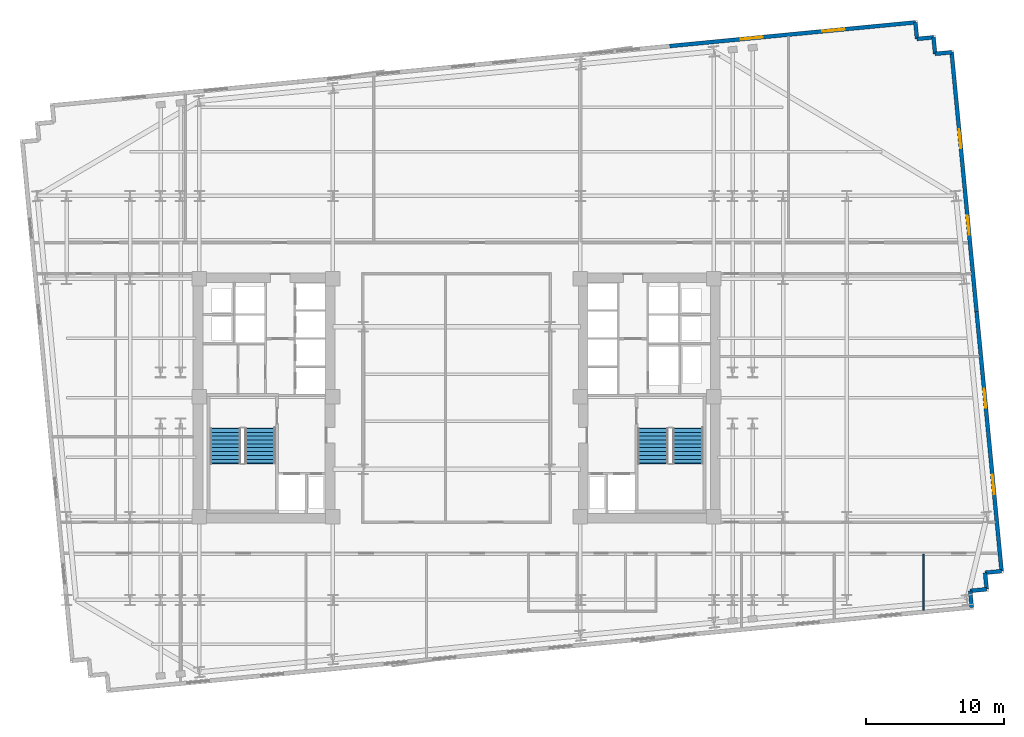
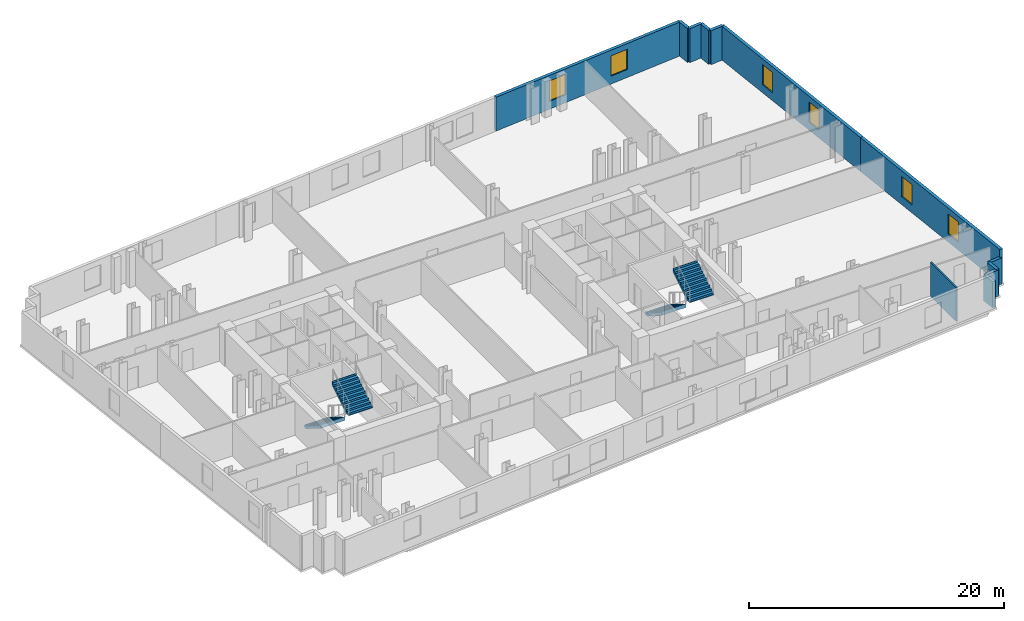
# One storey, part 8 of 10: 12 walls, 6 windows, 4 stair flights, 6 openings, 2 elements without a shape of their own.
"""IFC4 building model written with IfcOpenShell, lengths in metres."""

from ifc_helpers import new_model, si_unit, direction, frame, frame_2d, origin, place, context, subcontext, project, spatial, polyline, rectangle, outline, extrude, material, layer, layer_set, type_object, element, fill, aggregate, save


model = new_model("IFC4")

# Units and contexts
model_context = context("Model", 3, precision=1e-05, world=origin(), true_north=direction((0.0, 1.0)))
body_context = subcontext(model_context, "Body", "Model", "MODEL_VIEW")
ifc_project = project(units=[si_unit("LENGTHUNIT", "METRE"), si_unit("AREAUNIT", "SQUARE_METRE"), si_unit("VOLUMEUNIT", "CUBIC_METRE"), si_unit("PLANEANGLEUNIT", "RADIAN"), si_unit("MASSUNIT", "GRAM", prefix="KILO")], contexts=[model_context])

# Site, building, storey
site_placement = place(None, origin())
site = spatial("IfcSite", under=ifc_project, at=site_placement, CompositionType="ELEMENT")
building_placement = place(site_placement, origin())
building = spatial("IfcBuilding", under=site, at=building_placement, Name="Velakula Bourse", CompositionType="ELEMENT")
storey_placement = place(building_placement, frame((0.0, 0.0, 84.550048828125)))
storey = spatial("IfcBuildingStorey", under=building, at=storey_placement, Name="L22", CompositionType="ELEMENT", Elevation=84.550048828125)

# Wall, openings, windows
ifc_material_1 = material(Name="Red kilned clay facing brick masonry", Category="masonry")
ifc_layer_1 = layer(ifc_material_1, 0.280029296875, Name="Red kilned clay facing brick masonry", Category="masonry")
ifc_layer_set_1 = layer_set([ifc_layer_1], Name="Red kilned clay facing brick masonry")
wall_type_1 = type_object("IfcWallType", Name="WL-EXT-BRK-280", PredefinedType="STANDARD", material=ifc_layer_set_1)
wall_1_placement = place(storey_placement, frame((15.402099609375, 25.43603515625, 0.0), z_axis=(0.0, 0.0, 1.0), x_axis=(0.995395780835, 0.095850088663, 0.0)))
wall_1 = element("IfcWall", 1, at=wall_1_placement, inside=storey, type_object=wall_type_1, Name="L22 N Brick Spandrel Wall B5", PredefinedType="STANDARD", context=body_context, shape_type="SweptSolid", body=[
    extrude(rectangle(XDim=17.83984375, YDim=0.280029296875, at=frame_2d((8.919921875, 0.0))), origin(), (0.0, 0.0, 1.0), 3.25),
])
opening_1_placement = place(wall_1_placement, frame((5.146728515625, 0.0, 0.760009765625)))
opening_1 = element("IfcOpeningElement", 2, at=opening_1_placement, cuts=wall_1, Name="Opening W-02", PredefinedType="OPENING", context=body_context, shape_type="SweptSolid", body=[
    extrude(rectangle(XDim=1.60009765625, YDim=1.949951171875, at=frame_2d((0.800048828125, 0.97509765625))), frame((0.0, 0.14990234375, 0.0), z_axis=(0.0, -1.0, 0.0), x_axis=(1.0, 0.0, 0.0)), (0.0, 0.0, 1.0), 0.300048828125),
])
opening_2_placement = place(wall_1_placement, frame((11.09326171875, 0.0, 0.760009765625)))
opening_2 = element("IfcOpeningElement", 3, at=opening_2_placement, cuts=wall_1, Name="Opening W-02", PredefinedType="OPENING", context=body_context, shape_type="SweptSolid", body=[
    extrude(rectangle(XDim=1.60009765625, YDim=1.949951171875, at=frame_2d((0.800048828125, 0.97509765625))), frame((0.0, 0.14990234375, 0.0), z_axis=(0.0, -1.0, 0.0), x_axis=(1.0, 0.0, 0.0)), (0.0, 0.0, 1.0), 0.300048828125),
])
ifc_material_2 = material(Name="Double-glazed solar-control Low-E glass", Category="glass")
window_type_1 = type_object("IfcWindowType", Name="WIN-TWR-1600x2100", PartitioningType="SINGLE_PANEL", PredefinedType="WINDOW", material=ifc_material_2)
window_1_placement = place(opening_1_placement, origin())
window_1 = element("IfcWindow", 4, at=window_1_placement, inside=storey, type_object=window_type_1, Name="L22 Deep-Set Recessed Window 1", OverallHeight=1.949951171875, OverallWidth=1.60009765625, PartitioningType="SINGLE_PANEL", PredefinedType="WINDOW", context=body_context, shape_type="SweptSolid", body=[
    extrude(rectangle(XDim=1.60009765625, YDim=1.949951171875, at=frame_2d((0.800048828125, 0.97509765625))), frame((0.0, 0.030029296875, 0.0), z_axis=(0.0, -1.0, 0.0), x_axis=(1.0, 0.0, 0.0)), (0.0, 0.0, 1.0), 0.06005859375),
])
fill(opening_1, window_1)
window_2_placement = place(opening_2_placement, origin())
window_2 = element("IfcWindow", 5, at=window_2_placement, inside=storey, type_object=window_type_1, Name="L22 Deep-Set Recessed Window 2", OverallHeight=1.949951171875, OverallWidth=1.60009765625, PartitioningType="SINGLE_PANEL", PredefinedType="WINDOW", context=body_context, shape_type="SweptSolid", body=[
    extrude(rectangle(XDim=1.60009765625, YDim=1.949951171875, at=frame_2d((0.800048828125, 0.97509765625))), frame((0.0, 0.030029296875, 0.0), z_axis=(0.0, -1.0, 0.0), x_axis=(1.0, 0.0, 0.0)), (0.0, 0.0, 1.0), 0.06005859375),
])
fill(opening_2, window_2)

wall_2_placement = place(storey_placement, frame((37.584716796875, 6.23388671875, 0.0), z_axis=(0.0, 0.0, 1.0), x_axis=(0.095841297881, -0.99539662729, 0.0)))
wall_2 = element("IfcWall", 6, at=wall_2_placement, inside=storey, type_object=wall_type_1, Name="L22 E Brick End Wall W1", PredefinedType="STANDARD", context=body_context, shape_type="SweptSolid", body=[
    extrude(rectangle(XDim=18.840087890625, YDim=0.280029296875, at=frame_2d((9.419921875, 0.0))), origin(), (0.0, 0.0, 1.0), 3.25),
])
opening_3_placement = place(wall_2_placement, frame((5.580078125, 0.0, 0.760009765625)))
opening_3 = element("IfcOpeningElement", 7, at=opening_3_placement, cuts=wall_2, Name="Opening W-03", PredefinedType="OPENING", context=body_context, shape_type="SweptSolid", body=[
    extrude(rectangle(XDim=1.39990234375, YDim=1.949951171875, at=frame_2d((0.699951171875, 0.97509765625))), frame((0.0, 0.14990234375, 0.0), z_axis=(0.0, -1.0, 0.0), x_axis=(1.0, 0.0, 0.0)), (0.0, 0.0, 1.0), 0.300048828125),
])
opening_4_placement = place(wall_2_placement, frame((11.860107421875, 0.0, 0.760009765625)))
opening_4 = element("IfcOpeningElement", 8, at=opening_4_placement, cuts=wall_2, Name="Opening W-03", PredefinedType="OPENING", context=body_context, shape_type="SweptSolid", body=[
    extrude(rectangle(XDim=1.39990234375, YDim=1.949951171875, at=frame_2d((0.699951171875, 0.97509765625))), frame((0.0, 0.14990234375, 0.0), z_axis=(0.0, -1.0, 0.0), x_axis=(1.0, 0.0, 0.0)), (0.0, 0.0, 1.0), 0.300048828125),
])
window_type_2 = type_object("IfcWindowType", Name="WIN-TWR-1400x2100", PartitioningType="SINGLE_PANEL", PredefinedType="WINDOW", material=ifc_material_2)
window_3_placement = place(opening_3_placement, origin())
window_3 = element("IfcWindow", 9, at=window_3_placement, inside=storey, type_object=window_type_2, Name="L22 Deep-Set Recessed Window 1", OverallHeight=1.949951171875, OverallWidth=1.39990234375, PartitioningType="SINGLE_PANEL", PredefinedType="WINDOW", context=body_context, shape_type="SweptSolid", body=[
    extrude(rectangle(XDim=1.39990234375, YDim=1.949951171875, at=frame_2d((0.699951171875, 0.97509765625))), frame((0.0, 0.030029296875, 0.0), z_axis=(0.0, -1.0, 0.0), x_axis=(1.0, 0.0, 0.0)), (0.0, 0.0, 1.0), 0.06005859375),
])
fill(opening_3, window_3)
window_4_placement = place(opening_4_placement, origin())
window_4 = element("IfcWindow", 10, at=window_4_placement, inside=storey, type_object=window_type_2, Name="L22 Deep-Set Recessed Window 2", OverallHeight=1.949951171875, OverallWidth=1.39990234375, PartitioningType="SINGLE_PANEL", PredefinedType="WINDOW", context=body_context, shape_type="SweptSolid", body=[
    extrude(rectangle(XDim=1.39990234375, YDim=1.949951171875, at=frame_2d((0.699951171875, 0.97509765625))), frame((0.0, 0.030029296875, 0.0), z_axis=(0.0, -1.0, 0.0), x_axis=(1.0, 0.0, 0.0)), (0.0, 0.0, 1.0), 0.06005859375),
])
fill(opening_4, window_4)

wall_3_placement = place(storey_placement, frame((35.779052734375, 24.987060546875, 0.0), z_axis=(0.0, 0.0, 1.0), x_axis=(0.095842534142, -0.995396508256, 0.0)))
wall_3 = element("IfcWall", 11, at=wall_3_placement, inside=storey, type_object=wall_type_1, Name="L22 E Brick End Wall W2", PredefinedType="STANDARD", context=body_context, shape_type="SweptSolid", body=[
    extrude(rectangle(XDim=18.83984375, YDim=0.280029296875, at=frame_2d((9.419921875, 0.0))), origin(), (0.0, 0.0, 1.0), 3.25),
])
opening_5_placement = place(wall_3_placement, frame((5.580078125, 0.0, 0.760009765625)))
opening_5 = element("IfcOpeningElement", 12, at=opening_5_placement, cuts=wall_3, Name="Opening W-03", PredefinedType="OPENING", context=body_context, shape_type="SweptSolid", body=[
    extrude(rectangle(XDim=1.39990234375, YDim=1.949951171875, at=frame_2d((0.699951171875, 0.97509765625))), frame((0.0, 0.14990234375, 0.0), z_axis=(0.0, -1.0, 0.0), x_axis=(1.0, 0.0, 0.0)), (0.0, 0.0, 1.0), 0.300048828125),
])
opening_6_placement = place(wall_3_placement, frame((11.860107421875, 0.0, 0.760009765625)))
opening_6 = element("IfcOpeningElement", 13, at=opening_6_placement, cuts=wall_3, Name="Opening W-03", PredefinedType="OPENING", context=body_context, shape_type="SweptSolid", body=[
    extrude(rectangle(XDim=1.39990234375, YDim=1.949951171875, at=frame_2d((0.699951171875, 0.97509765625))), frame((0.0, 0.14990234375, 0.0), z_axis=(0.0, -1.0, 0.0), x_axis=(1.0, 0.0, 0.0)), (0.0, 0.0, 1.0), 0.300048828125),
])
window_5_placement = place(opening_5_placement, origin())
window_5 = element("IfcWindow", 14, at=window_5_placement, inside=storey, type_object=window_type_2, Name="L22 Deep-Set Recessed Window 1", OverallHeight=1.949951171875, OverallWidth=1.39990234375, PartitioningType="SINGLE_PANEL", PredefinedType="WINDOW", context=body_context, shape_type="SweptSolid", body=[
    extrude(rectangle(XDim=1.39990234375, YDim=1.949951171875, at=frame_2d((0.699951171875, 0.97509765625))), frame((0.0, 0.030029296875, 0.0), z_axis=(0.0, -1.0, 0.0), x_axis=(1.0, 0.0, 0.0)), (0.0, 0.0, 1.0), 0.06005859375),
])
fill(opening_5, window_5)
window_6_placement = place(opening_6_placement, origin())
window_6 = element("IfcWindow", 15, at=window_6_placement, inside=storey, type_object=window_type_2, Name="L22 Deep-Set Recessed Window 2", OverallHeight=1.949951171875, OverallWidth=1.39990234375, PartitioningType="SINGLE_PANEL", PredefinedType="WINDOW", context=body_context, shape_type="SweptSolid", body=[
    extrude(rectangle(XDim=1.39990234375, YDim=1.949951171875, at=frame_2d((0.699951171875, 0.97509765625))), frame((0.0, 0.030029296875, 0.0), z_axis=(0.0, -1.0, 0.0), x_axis=(1.0, 0.0, 0.0)), (0.0, 0.0, 1.0), 0.06005859375),
])
fill(opening_6, window_6)

# Walls
for number, where, z_axis, x_axis, name in (
    (16, (37.2314453125, -15.138427734375, 0.0), (0.0, 0.0, 1.0), (-0.095817067274, 0.995398960025, 0.0), "L22 Serrated Corner Brick Wall SE-1"),
    (17, (37.116455078125, -13.94384765625, 0.0), (0.0, 0.0, 1.0), (0.995398960025, 0.095817067274, 0.0), "L22 Serrated Corner Brick Wall SE-2"),
):
    element("IfcWall", number, at=place(storey_placement, frame(where, z_axis=z_axis, x_axis=x_axis)), inside=storey, type_object=wall_type_1, Name=name, PredefinedType="STANDARD", context=body_context, shape_type="SweptSolid", body=[
        extrude(rectangle(XDim=1.2001953125, YDim=0.280029296875, at=frame_2d((0.60009765625, 0.0))), origin(), (0.0, 0.0, 1.0), 2.494873046875),
    ])
for number, where, z_axis, x_axis, name in (
    (18, (38.31103515625, -13.828857421875, 0.0), (0.0, 0.0, 1.0), (-0.095836473879, 0.995397091755, 0.0), "L22 Serrated Corner Brick Wall SE-3"),
    (19, (38.196044921875, -12.634521484375, 0.0), (0.0, 0.0, 1.0), (0.995397091755, 0.095836473879, 0.0), "L22 Serrated Corner Brick Wall SE-4"),
):
    element("IfcWall", number, at=place(storey_placement, frame(where, z_axis=z_axis, x_axis=x_axis)), inside=storey, type_object=wall_type_1, Name=name, PredefinedType="STANDARD", context=body_context, shape_type="SweptSolid", body=[
        extrude(rectangle(XDim=1.199951171875, YDim=0.280029296875, at=frame_2d((0.60009765625, 0.0))), origin(), (0.0, 0.0, 1.0), 2.494873046875),
    ])
for number, where, z_axis, x_axis, name in (
    (20, (35.779052734375, 24.987060546875, 0.0), (0.0, 0.0, 1.0), (-0.995398960025, -0.095817067274, 0.0), "L22 Serrated Corner Brick Wall NE-1"),
    (21, (34.58447265625, 24.8720703125, 0.0), (0.0, 0.0, 1.0), (-0.095817067274, 0.995398960025, 0.0), "L22 Serrated Corner Brick Wall NE-2"),
    (22, (34.469482421875, 26.066650390625, 0.0), (0.0, 0.0, 1.0), (-0.995398960025, -0.095817067274, 0.0), "L22 Serrated Corner Brick Wall NE-3"),
):
    element("IfcWall", number, at=place(storey_placement, frame(where, z_axis=z_axis, x_axis=x_axis)), inside=storey, type_object=wall_type_1, Name=name, PredefinedType="STANDARD", context=body_context, shape_type="SweptSolid", body=[
        extrude(rectangle(XDim=1.2001953125, YDim=0.280029296875, at=frame_2d((0.60009765625, 0.0))), origin(), (0.0, 0.0, 1.0), 3.25),
    ])
wall_4_placement = place(storey_placement, frame((33.27490234375, 25.95166015625, 0.0), z_axis=(0.0, 0.0, 1.0), x_axis=(-0.095836473879, 0.995397091755, 0.0)))
element("IfcWall", 23, at=wall_4_placement, inside=storey, type_object=wall_type_1, Name="L22 Serrated Corner Brick Wall NE-4", PredefinedType="STANDARD", context=body_context, shape_type="SweptSolid", body=[
    extrude(rectangle(XDim=1.199951171875, YDim=0.280029296875, at=frame_2d((0.60009765625, 0.0))), origin(), (0.0, 0.0, 1.0), 3.25),
])
ifc_material_3 = material(Name="Fire-rated double-layer gypsum drywall partition", Category="gypsum")
ifc_layer_2 = layer(ifc_material_3, 0.1201171875, Name="Fire-rated double-layer gypsum drywall partition", Category="gypsum")
ifc_layer_set_2 = layer_set([ifc_layer_2], Name="Fire-rated double-layer gypsum drywall partition")
wall_type_2 = type_object("IfcWallType", Name="WL-PART-120", PredefinedType="STANDARD", material=ifc_layer_set_2)
wall_5_placement = place(storey_placement, frame((33.739013671875, -15.35400390625, 0.0), z_axis=(0.0, 0.0, 1.0), x_axis=(0.0, 1.0, 0.0)))
element("IfcWall", 24, at=wall_5_placement, inside=storey, type_object=wall_type_2, Name="L22 Interior Partition WL-INT-L22-SR-D10", PredefinedType="STANDARD", context=body_context, shape_type="SweptSolid", body=[
    extrude(rectangle(XDim=4.06396484375, YDim=0.1201171875, at=frame_2d((2.031982421875, 0.0))), origin(), (0.0, 0.0, 1.0), 3.25),
])

# Stair, stair flights
ifc_material_4 = material(Name="Concrete M45 (fck 45 MPa)", Category="concrete")
stair_type = type_object("IfcStairType", Name="STR-DOG-390", PredefinedType="HALF_TURN_STAIR", material=ifc_material_4)
stair_1_placement = place(storey_placement, origin())
stair_1 = element("IfcStair", 25, at=stair_1_placement, inside=storey, type_object=stair_type, Name="L22 West Core Exit Stair ST-W1", PredefinedType="HALF_TURN_STAIR")
ifc_layer_3 = layer(ifc_material_4, 0.195068359375, Name="Concrete M45 (fck 45 MPa)", Category="concrete")
ifc_layer_set_3 = layer_set([ifc_layer_3], Name="Concrete M45 (fck 45 MPa)")
stair_flight_type = type_object("IfcStairFlightType", Name="FLT-DOG-390", PredefinedType="STRAIGHT", material=ifc_layer_set_3)
stair_flight_1_placement = place(storey_placement, frame((-16.720947265625, -2.199951171875, 0.0), z_axis=(0.0, 0.0, 1.0), x_axis=(0.0, -1.0, 0.0)))
stair_flight_1 = element("IfcStairFlight", 26, at=stair_flight_1_placement, type_object=stair_flight_type, Name="ST-W1 flight 1", NumberOfRisers=10, NumberOfTreads=9, PredefinedType="STRAIGHT", RiserHeight=0.1725, TreadLength=0.28, context=body_context, shape_type="SweptSolid", body=[
    extrude(outline(polyline([(-0.044921875, -0.0400390625), (-0.044921875, -0.036865234375), (-0.044921875, -0.033935546875), (-0.044921875, -0.03076171875), (-0.044921875, -0.027587890625), (-0.044921875, -0.024658203125), (-0.044921875, -0.021484375), (-0.044921875, -0.0185546875), (-0.044921875, -0.015380859375), (-0.044921875, -0.01220703125), (-0.044921875, -0.00927734375), (-0.044921875, -0.006103515625), (-0.044921875, -0.003173828125), (-0.044921875, 0.0), (0.0, 0.0), (0.0, 0.172607421875), (0.280029296875, 0.172607421875), (0.280029296875, 0.344970703125), (0.56005859375, 0.344970703125), (0.56005859375, 0.517578125), (0.840087890625, 0.517578125), (0.840087890625, 0.68994140625), (1.1201171875, 0.68994140625), (1.1201171875, 0.862548828125), (1.39990234375, 0.862548828125), (1.39990234375, 1.034912109375), (1.679931640625, 1.034912109375), (1.679931640625, 1.20751953125), (1.9599609375, 1.20751953125), (1.9599609375, 1.3798828125), (2.239990234375, 1.3798828125), (2.239990234375, 1.552490234375), (2.52001953125, 1.552490234375), (2.52001953125, 1.72509765625), (2.56494140625, 1.72509765625), (2.56494140625, 1.7001953125), (2.56494140625, 1.67529296875), (2.56494140625, 1.650390625), (2.56494140625, 1.62548828125), (2.56494140625, 1.6005859375), (2.56494140625, 1.57568359375), (2.56494140625, 1.55078125), (2.56494140625, 1.52587890625), (2.56494140625, 1.5009765625), (2.56494140625, 1.47607421875), (2.56494140625, 1.451171875), (2.56494140625, 1.42626953125), (2.56494140625, 1.4013671875), (2.56494140625, 1.37646484375), (0.285888671875, -0.0400390625), (-0.044921875, -0.0400390625)])), frame((0.0, 1.09912109375, 0.0), z_axis=(0.0, -1.0, 0.0), x_axis=(1.0, 0.0, 0.0)), (0.0, 0.0, 1.0), 2.197998046875),
])
stair_flight_2_placement = place(storey_placement, frame((-14.198974609375, -4.719970703125, 1.724853515625), z_axis=(0.0, 0.0, 1.0), x_axis=(0.0, 1.0, 0.0)))
stair_flight_2 = element("IfcStairFlight", 27, at=stair_flight_2_placement, type_object=stair_flight_type, Name="ST-W1 flight 2", NumberOfRisers=10, NumberOfTreads=9, PredefinedType="STRAIGHT", RiserHeight=0.1725, TreadLength=0.28, context=body_context, shape_type="SweptSolid", body=[
    extrude(outline(polyline([(-0.044921875, -0.0400390625), (-0.044921875, -0.036865234375), (-0.044921875, -0.033935546875), (-0.044921875, -0.03076171875), (-0.044921875, -0.027587890625), (-0.044921875, -0.024658203125), (-0.044921875, -0.021484375), (-0.044921875, -0.0185546875), (-0.044921875, -0.015380859375), (-0.044921875, -0.01220703125), (-0.044921875, -0.00927734375), (-0.044921875, -0.006103515625), (-0.044921875, -0.003173828125), (-0.044921875, 0.0), (0.0, 0.0), (0.0, 0.172607421875), (0.280029296875, 0.172607421875), (0.280029296875, 0.344970703125), (0.56005859375, 0.344970703125), (0.56005859375, 0.517578125), (0.840087890625, 0.517578125), (0.840087890625, 0.68994140625), (1.1201171875, 0.68994140625), (1.1201171875, 0.862548828125), (1.39990234375, 0.862548828125), (1.39990234375, 1.034912109375), (1.679931640625, 1.034912109375), (1.679931640625, 1.20751953125), (1.9599609375, 1.20751953125), (1.9599609375, 1.3798828125), (2.239990234375, 1.3798828125), (2.239990234375, 1.552490234375), (2.52001953125, 1.552490234375), (2.52001953125, 1.72509765625), (2.56494140625, 1.72509765625), (2.56494140625, 1.7001953125), (2.56494140625, 1.67529296875), (2.56494140625, 1.650390625), (2.56494140625, 1.62548828125), (2.56494140625, 1.6005859375), (2.56494140625, 1.57568359375), (2.56494140625, 1.55078125), (2.56494140625, 1.52587890625), (2.56494140625, 1.5009765625), (2.56494140625, 1.47607421875), (2.56494140625, 1.451171875), (2.56494140625, 1.42626953125), (2.56494140625, 1.4013671875), (2.56494140625, 1.37646484375), (0.285888671875, -0.0400390625), (-0.044921875, -0.0400390625)])), frame((0.0, 1.09912109375, 0.0), z_axis=(0.0, -1.0, 0.0), x_axis=(1.0, 0.0, 0.0)), (0.0, 0.0, 1.0), 2.197998046875),
])
aggregate(stair_1, [stair_flight_1, stair_flight_2])

stair_2_placement = place(storey_placement, origin())
stair_2 = element("IfcStair", 28, at=stair_2_placement, inside=storey, type_object=stair_type, Name="L22 East Core Exit Stair ST-E1", PredefinedType="HALF_TURN_STAIR")
stair_flight_3_placement = place(storey_placement, frame((14.198974609375, -2.199951171875, 0.0), z_axis=(0.0, 0.0, 1.0), x_axis=(0.0, -1.0, 0.0)))
stair_flight_3 = element("IfcStairFlight", 29, at=stair_flight_3_placement, type_object=stair_flight_type, Name="ST-E1 flight 1", NumberOfRisers=10, NumberOfTreads=9, PredefinedType="STRAIGHT", RiserHeight=0.1725, TreadLength=0.28, context=body_context, shape_type="SweptSolid", body=[
    extrude(outline(polyline([(-0.044921875, -0.0400390625), (-0.044921875, -0.036865234375), (-0.044921875, -0.033935546875), (-0.044921875, -0.03076171875), (-0.044921875, -0.027587890625), (-0.044921875, -0.024658203125), (-0.044921875, -0.021484375), (-0.044921875, -0.0185546875), (-0.044921875, -0.015380859375), (-0.044921875, -0.01220703125), (-0.044921875, -0.00927734375), (-0.044921875, -0.006103515625), (-0.044921875, -0.003173828125), (-0.044921875, 0.0), (0.0, 0.0), (0.0, 0.172607421875), (0.280029296875, 0.172607421875), (0.280029296875, 0.344970703125), (0.56005859375, 0.344970703125), (0.56005859375, 0.517578125), (0.840087890625, 0.517578125), (0.840087890625, 0.68994140625), (1.1201171875, 0.68994140625), (1.1201171875, 0.862548828125), (1.39990234375, 0.862548828125), (1.39990234375, 1.034912109375), (1.679931640625, 1.034912109375), (1.679931640625, 1.20751953125), (1.9599609375, 1.20751953125), (1.9599609375, 1.3798828125), (2.239990234375, 1.3798828125), (2.239990234375, 1.552490234375), (2.52001953125, 1.552490234375), (2.52001953125, 1.72509765625), (2.56494140625, 1.72509765625), (2.56494140625, 1.7001953125), (2.56494140625, 1.67529296875), (2.56494140625, 1.650390625), (2.56494140625, 1.62548828125), (2.56494140625, 1.6005859375), (2.56494140625, 1.57568359375), (2.56494140625, 1.55078125), (2.56494140625, 1.52587890625), (2.56494140625, 1.5009765625), (2.56494140625, 1.47607421875), (2.56494140625, 1.451171875), (2.56494140625, 1.42626953125), (2.56494140625, 1.4013671875), (2.56494140625, 1.37646484375), (0.285888671875, -0.0400390625), (-0.044921875, -0.0400390625)])), frame((0.0, 1.09912109375, 0.0), z_axis=(0.0, -1.0, 0.0), x_axis=(1.0, 0.0, 0.0)), (0.0, 0.0, 1.0), 2.197998046875),
])
stair_flight_4_placement = place(storey_placement, frame((16.720947265625, -4.719970703125, 1.724853515625), z_axis=(0.0, 0.0, 1.0), x_axis=(0.0, 1.0, 0.0)))
stair_flight_4 = element("IfcStairFlight", 30, at=stair_flight_4_placement, type_object=stair_flight_type, Name="ST-E1 flight 2", NumberOfRisers=10, NumberOfTreads=9, PredefinedType="STRAIGHT", RiserHeight=0.1725, TreadLength=0.28, context=body_context, shape_type="SweptSolid", body=[
    extrude(outline(polyline([(-0.044921875, -0.0400390625), (-0.044921875, -0.036865234375), (-0.044921875, -0.033935546875), (-0.044921875, -0.03076171875), (-0.044921875, -0.027587890625), (-0.044921875, -0.024658203125), (-0.044921875, -0.021484375), (-0.044921875, -0.0185546875), (-0.044921875, -0.015380859375), (-0.044921875, -0.01220703125), (-0.044921875, -0.00927734375), (-0.044921875, -0.006103515625), (-0.044921875, -0.003173828125), (-0.044921875, 0.0), (0.0, 0.0), (0.0, 0.172607421875), (0.280029296875, 0.172607421875), (0.280029296875, 0.344970703125), (0.56005859375, 0.344970703125), (0.56005859375, 0.517578125), (0.840087890625, 0.517578125), (0.840087890625, 0.68994140625), (1.1201171875, 0.68994140625), (1.1201171875, 0.862548828125), (1.39990234375, 0.862548828125), (1.39990234375, 1.034912109375), (1.679931640625, 1.034912109375), (1.679931640625, 1.20751953125), (1.9599609375, 1.20751953125), (1.9599609375, 1.3798828125), (2.239990234375, 1.3798828125), (2.239990234375, 1.552490234375), (2.52001953125, 1.552490234375), (2.52001953125, 1.72509765625), (2.56494140625, 1.72509765625), (2.56494140625, 1.7001953125), (2.56494140625, 1.67529296875), (2.56494140625, 1.650390625), (2.56494140625, 1.62548828125), (2.56494140625, 1.6005859375), (2.56494140625, 1.57568359375), (2.56494140625, 1.55078125), (2.56494140625, 1.52587890625), (2.56494140625, 1.5009765625), (2.56494140625, 1.47607421875), (2.56494140625, 1.451171875), (2.56494140625, 1.42626953125), (2.56494140625, 1.4013671875), (2.56494140625, 1.37646484375), (0.285888671875, -0.0400390625), (-0.044921875, -0.0400390625)])), frame((0.0, 1.09912109375, 0.0), z_axis=(0.0, -1.0, 0.0), x_axis=(1.0, 0.0, 0.0)), (0.0, 0.0, 1.0), 2.197998046875),
])
aggregate(stair_2, [stair_flight_3, stair_flight_4])

save(model, "model.ifc")
